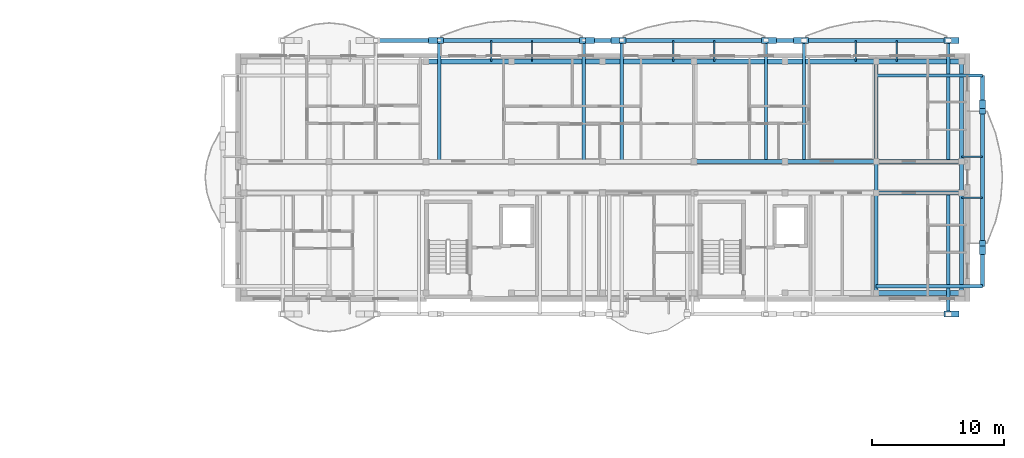
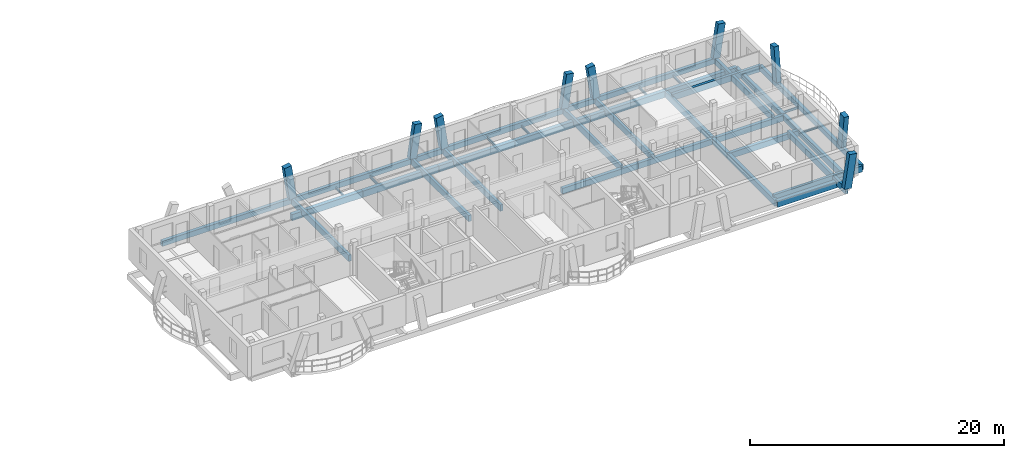
# One storey, part 8 of 52: 36 beams, 9 members.
"""IFC4 building model written with IfcOpenShell, lengths in metres."""

import ifcopenshell
import ifcopenshell.guid

model = None  # the IFC model being written
_history = None  # IfcOwnerHistory: only IFC2X3 demands one
_inside = {}  # id of a spatial element -> (the spatial element, [elements in it])
_under = {}  # id of a project, library or spatial element -> (it, [spatial elements below it])
_declared = {}  # id of a project -> (the project, [libraries it declares])
_typed = {}  # id of a type object -> (the type object, [elements of that type])
_made_of = {}  # id of a material, layer set ... -> (it, [elements and type objects made of it])


def new_model(schema):
    """Start an empty IFC model of exactly this schema.

    Asked for "IFC4X3", IfcOpenShell would pick the latest addendum, in which some entities
    have other attributes; the version numbers below select the first issue.
    IFC2X3 requires an IfcOwnerHistory on every rooted entity: one is made here for all.
    """
    global model, _history
    if schema == "IFC4X3":
        model = ifcopenshell.file(schema_version=(4, 3, 0, 0))
    else:
        model = ifcopenshell.file(schema=schema)
    _inside.clear()
    _under.clear()
    _declared.clear()
    _typed.clear()
    _made_of.clear()
    _history = None
    if model.schema == "IFC2X3":
        org = make("IfcOrganization", Name="unknown")
        user = make(
            "IfcPersonAndOrganization",
            ThePerson=make("IfcPerson", FamilyName="unknown"),
            TheOrganization=org,
        )
        app = make(
            "IfcApplication",
            ApplicationDeveloper=org,
            Version="unknown",
            ApplicationFullName="unknown",
            ApplicationIdentifier="unknown",
        )
        _history = make(
            "IfcOwnerHistory",
            OwningUser=user,
            OwningApplication=app,
            ChangeAction="ADDED",
            CreationDate=0,
        )
    return model


def make(cls, **values):
    """One entity of the class cls with the attributes given. An attribute that is None is left unset."""
    return model.create_entity(
        cls, **{name: value for name, value in values.items() if value is not None}
    )


def rooted(cls, **values):
    """An entity with a GlobalId (a new one), such as an element, a storey or a relation."""
    return make(cls, GlobalId=ifcopenshell.guid.new(), OwnerHistory=_history, **values)


def si_unit(unit_type, name, prefix=None):
    """IfcSIUnit, for example si_unit("LENGTHUNIT", "METRE", prefix="MILLI")."""
    return make("IfcSIUnit", UnitType=unit_type, Prefix=prefix, Name=name)


def assignment(units):
    """IfcUnitAssignment: the units of a project."""
    return None if units is None else make("IfcUnitAssignment", Units=units)


def point(xyz):
    """IfcCartesianPoint."""
    return None if xyz is None else make("IfcCartesianPoint", Coordinates=xyz)


def direction(xyz):
    """IfcDirection."""
    return None if xyz is None else make("IfcDirection", DirectionRatios=xyz)


def frame(location, z_axis=None, x_axis=None):
    """IfcAxis2Placement3D, a coordinate frame: its origin and axes. An axis left out is left unset."""
    return make(
        "IfcAxis2Placement3D",
        Location=point(location),
        Axis=direction(z_axis),
        RefDirection=direction(x_axis),
    )


def frame_2d(location, x_axis=None):
    """IfcAxis2Placement2D, a coordinate frame in the plane: its origin and x axis."""
    return make(
        "IfcAxis2Placement2D", Location=point(location), RefDirection=direction(x_axis)
    )


def origin():
    """The frame at (0, 0, 0) with its axes left unset."""
    return frame((0.0, 0.0, 0.0))


def origin_2d():
    """The frame at (0, 0) in the plane with its x axis left unset."""
    return frame_2d((0.0, 0.0))


def place(relative_to, where):
    """IfcLocalPlacement: puts the frame where relative to a parent placement (None: the world)."""
    return make(
        "IfcLocalPlacement", PlacementRelTo=relative_to, RelativePlacement=where
    )


def context(
    kind, dimensions, precision=None, world=None, true_north=None, identifier=None
):
    """IfcGeometricRepresentationContext, for example the 3D "Model" context."""
    return make(
        "IfcGeometricRepresentationContext",
        ContextIdentifier=identifier,
        ContextType=kind,
        CoordinateSpaceDimension=dimensions,
        Precision=precision,
        WorldCoordinateSystem=world,
        TrueNorth=true_north,
    )


def subcontext(parent, identifier, kind, view, scale=None):
    """IfcGeometricRepresentationSubContext, for example "Body" below "Model"."""
    return make(
        "IfcGeometricRepresentationSubContext",
        ContextIdentifier=identifier,
        ContextType=kind,
        ParentContext=parent,
        TargetScale=scale,
        TargetView=view,
    )


def project(units=None, contexts=None):
    """IfcProject with its units and contexts."""
    return rooted(
        "IfcProject",
        Name="project",
        RepresentationContexts=contexts,
        UnitsInContext=assignment(units),
    )


def spatial(cls, under=None, at=None, **own):
    """A site, building, storey or space (cls), placed at a placement, below another one or the project."""
    s = rooted(cls, ObjectPlacement=at, **own)
    if under is not None:
        _under.setdefault(under.id(), (under, []))[1].append(s)
    return s


def profile(cls, at=None, kind="AREA", **sizes):
    """A parametric profile (cls). Its sizes go by their IFC names, for example OverallWidth=200.0."""
    return make(cls, ProfileType=kind, Position=at, **sizes)


def rectangle(**sizes):
    """IfcRectangleProfileDef."""
    return profile("IfcRectangleProfileDef", **sizes)


def i_section(**sizes):
    """IfcIShapeProfileDef."""
    return profile("IfcIShapeProfileDef", **sizes)


def extrude(swept, where, along, depth):
    """IfcExtrudedAreaSolid: the profile swept, set in the frame where, extruded along a direction by depth."""
    return make(
        "IfcExtrudedAreaSolid",
        SweptArea=swept,
        Position=where,
        ExtrudedDirection=direction(along),
        Depth=depth,
    )


def shape(context_of_items, identifier, shape_type, items):
    """IfcShapeRepresentation: the items that make up one representation, for example the "Body"."""
    return make(
        "IfcShapeRepresentation",
        ContextOfItems=context_of_items,
        RepresentationIdentifier=identifier,
        RepresentationType=shape_type,
        Items=items,
    )


def material(Name=None, Category=None):
    """IfcMaterial."""
    return make("IfcMaterial", Name=Name, Category=Category)


def material_profile(
    of_material, cross_section, Name=None, Category=None, Priority=None
):
    """IfcMaterialProfile: a cross section and its material."""
    return make(
        "IfcMaterialProfile",
        Name=Name,
        Material=of_material,
        Profile=cross_section,
        Priority=Priority,
        Category=Category,
    )


def profile_set(profiles, Name=None, composite=None):
    """IfcMaterialProfileSet."""
    return make(
        "IfcMaterialProfileSet",
        Name=Name,
        MaterialProfiles=profiles,
        CompositeProfile=composite,
    )


def made_of(thing, what):
    """Note that an element or type object is made of a material, layer set ...; save() writes the relation."""
    if what is not None:
        _made_of.setdefault(what.id(), (what, []))[1].append(thing)
    return thing


def type_object(cls, material=None, **own):
    """A type object (cls), such as IfcWallType, which elements share."""
    return made_of(rooted(cls, **own), material)


def element(
    cls,
    number,
    at=None,
    inside=None,
    cuts=None,
    type_object=None,
    material=None,
    context=None,
    identifier="Body",
    shape_type=None,
    held_by="IfcProductDefinitionShape",
    body=None,
    shapes=None,
    **own,
):
    """One element of the class cls, such as IfcWall. Its Tag is "e" and its number.

    at: its placement. inside: the storey or other place that contains it. cuts: it is an
    opening in that element (IfcRelVoidsElement). A single representation is given by context,
    identifier, shape_type and body (its items); several are given by shapes. held_by: the class
    of the entity that holds the representations. save() writes the other relations.
    """
    e = rooted(cls, Tag="e%d" % number, ObjectPlacement=at, **own)
    if body is not None:
        shapes = [shape(context, identifier, shape_type, body)]
    if shapes is not None:
        e.Representation = make(held_by, Representations=shapes)
    if inside is not None:
        _inside.setdefault(inside.id(), (inside, []))[1].append(e)
    if cuts is not None:
        rooted(
            "IfcRelVoidsElement", RelatingBuildingElement=cuts, RelatedOpeningElement=e
        )
    if type_object is not None:
        _typed.setdefault(type_object.id(), (type_object, []))[1].append(e)
    return made_of(e, material)


def aggregate(whole, parts):
    """IfcRelAggregates: a whole, such as a stair, and the parts it consists of."""
    return rooted("IfcRelAggregates", RelatingObject=whole, RelatedObjects=parts)


def save(model, path):
    """Write the relations noted so far, then the file.

    IfcRelAggregates (storeys below a building ...), IfcRelContainedInSpatialStructure (elements
    in a storey), IfcRelDefinesByType, IfcRelAssociatesMaterial and IfcRelDeclares: one each for
    every whole, place, type object, material and project.
    """
    for whole, parts in _under.values():
        aggregate(whole, parts)
    for where, things in _inside.values():
        rooted(
            "IfcRelContainedInSpatialStructure",
            RelatedElements=things,
            RelatingStructure=where,
        )
    for kind, things in _typed.values():
        rooted("IfcRelDefinesByType", RelatedObjects=things, RelatingType=kind)
    for what, things in _made_of.values():
        rooted("IfcRelAssociatesMaterial", RelatedObjects=things, RelatingMaterial=what)
    for by, libraries in _declared.values():
        rooted("IfcRelDeclares", RelatingContext=by, RelatedDefinitions=libraries)
    model.write(path)


model = new_model("IFC4")

# Units and contexts
model_context = context("Model", 3, precision=1e-05, world=origin(), true_north=direction((0.0, 1.0)))
body_context = subcontext(model_context, "Body", "Model", "MODEL_VIEW")
ifc_project = project(units=[si_unit("LENGTHUNIT", "METRE"), si_unit("AREAUNIT", "SQUARE_METRE"), si_unit("VOLUMEUNIT", "CUBIC_METRE"), si_unit("PLANEANGLEUNIT", "RADIAN"), si_unit("MASSUNIT", "GRAM", prefix="KILO")], contexts=[model_context])

# Site, building, storey
site_placement = place(None, origin())
site = spatial("IfcSite", under=ifc_project, at=site_placement, CompositionType="ELEMENT")
building_placement = place(site_placement, origin())
building = spatial("IfcBuilding", under=site, at=building_placement, Name="Zavelmont Quarter", CompositionType="ELEMENT")
storey_placement = place(building_placement, frame((0.0, 0.0, 14.39990234375)))
storey = spatial("IfcBuildingStorey", under=building, at=storey_placement, Name="L04", CompositionType="ELEMENT", Elevation=14.39990234375)

# Beams
ifc_material_1 = material(Name="Concrete C35/45", Category="concrete")
ifc_material_profile_1 = material_profile(ifc_material_1, rectangle(XDim=0.35009765625, YDim=0.60009765625, at=origin_2d()), Name="RC350X600")
ifc_profile_set_1 = profile_set([ifc_material_profile_1], Name="Concrete C35/45")
beam_type_1 = type_object("IfcBeamType", Name="BM01", PredefinedType="SPANDREL", material=ifc_profile_set_1)
for number, where, z_axis, x_axis, name in (
    (1, (161.10009765625, 98.0400390625, -0.559814453125), (1.0, 0.0, 0.0), (0.0, 1.0, 0.0), "L04 beam BM01 24/P to 25/P"),
    (2, (127.0400390625, 115.56005859375, -0.559814453125), (1.0, 0.0, 0.0), (0.0, 1.0, 0.0), "L04 beam BM01 19/S to 20/S"),
):
    element("IfcBeam", number, at=place(storey_placement, frame(where, z_axis=z_axis, x_axis=x_axis)), inside=storey, type_object=beam_type_1, Name=name, PredefinedType="SPANDREL", context=body_context, shape_type="SweptSolid", body=[
        extrude(rectangle(XDim=0.35009765625, YDim=0.60009765625, at=origin_2d()), origin(), (0.0, 0.0, 1.0), 6.4599609375),
    ])
beam_1_placement = place(storey_placement, frame((133.5, 115.56005859375, -0.559814453125), z_axis=(1.0, 0.0, 0.0), x_axis=(0.0, 1.0, 0.0)))
element("IfcBeam", 3, at=beam_1_placement, inside=storey, type_object=beam_type_1, Name="L04 beam BM01 20/S to 21/S", PredefinedType="SPANDREL", context=body_context, shape_type="SweptSolid", body=[
    extrude(rectangle(XDim=0.35009765625, YDim=0.60009765625, at=origin_2d()), origin(), (0.0, 0.0, 1.0), 6.89990234375),
])
beam_2_placement = place(storey_placement, frame((140.39990234375, 115.56005859375, -0.559814453125), z_axis=(1.0, 0.0, 0.0), x_axis=(0.0, 1.0, 0.0)))
element("IfcBeam", 4, at=beam_2_placement, inside=storey, type_object=beam_type_1, Name="L04 beam BM01 21/S to 22/S", PredefinedType="SPANDREL", context=body_context, shape_type="SweptSolid", body=[
    extrude(rectangle(XDim=0.35009765625, YDim=0.60009765625, at=origin_2d()), origin(), (0.0, 0.0, 1.0), 6.900146484375),
])
beam_3_placement = place(storey_placement, frame((147.300048828125, 115.56005859375, -0.559814453125), z_axis=(1.0, 0.0, 0.0), x_axis=(0.0, 1.0, 0.0)))
element("IfcBeam", 5, at=beam_3_placement, inside=storey, type_object=beam_type_1, Name="L04 beam BM01 22/S to 23/S", PredefinedType="SPANDREL", context=body_context, shape_type="SweptSolid", body=[
    extrude(rectangle(XDim=0.35009765625, YDim=0.60009765625, at=origin_2d()), origin(), (0.0, 0.0, 1.0), 6.89990234375),
])
beam_4_placement = place(storey_placement, frame((154.199951171875, 115.56005859375, -0.559814453125), z_axis=(1.0, 0.0, 0.0), x_axis=(0.0, 1.0, 0.0)))
element("IfcBeam", 6, at=beam_4_placement, inside=storey, type_object=beam_type_1, Name="L04 beam BM01 23/S to 24/S", PredefinedType="SPANDREL", context=body_context, shape_type="SweptSolid", body=[
    extrude(rectangle(XDim=0.35009765625, YDim=0.60009765625, at=origin_2d()), origin(), (0.0, 0.0, 1.0), 6.900146484375),
])
beam_5_placement = place(storey_placement, frame((161.10009765625, 115.56005859375, -0.559814453125), z_axis=(1.0, 0.0, 0.0), x_axis=(0.0, 1.0, 0.0)))
element("IfcBeam", 7, at=beam_5_placement, inside=storey, type_object=beam_type_1, Name="L04 beam BM01 24/S to 25/S", PredefinedType="SPANDREL", context=body_context, shape_type="SweptSolid", body=[
    extrude(rectangle(XDim=0.35009765625, YDim=0.60009765625, at=origin_2d()), origin(), (0.0, 0.0, 1.0), 6.4599609375),
])
ifc_material_profile_2 = material_profile(ifc_material_1, rectangle(XDim=0.300048828125, YDim=0.550048828125, at=origin_2d()), Name="RC300X550")
ifc_profile_set_2 = profile_set([ifc_material_profile_2], Name="Concrete C35/45")
beam_type_2 = type_object("IfcBeamType", Name="BM02", PredefinedType="SPANDREL", material=ifc_profile_set_2)
beam_6_placement = place(storey_placement, frame((161.10009765625, 105.60009765625, -0.534912109375), z_axis=(1.0, 0.0, 0.0), x_axis=(0.0, 1.0, 0.0)))
element("IfcBeam", 8, at=beam_6_placement, inside=storey, type_object=beam_type_2, Name="L04 beam BM02 24/Q to 25/Q", PredefinedType="SPANDREL", context=body_context, shape_type="SweptSolid", body=[
    extrude(rectangle(XDim=0.300048828125, YDim=0.550048828125, at=origin_2d()), origin(), (0.0, 0.0, 1.0), 6.4599609375),
])
beam_7_placement = place(storey_placement, frame((147.300048828125, 108.0, -0.534912109375), z_axis=(1.0, 0.0, 0.0), x_axis=(0.0, 1.0, 0.0)))
element("IfcBeam", 9, at=beam_7_placement, inside=storey, type_object=beam_type_2, Name="L04 beam BM02 22/R to 23/R", PredefinedType="SPANDREL", context=body_context, shape_type="SweptSolid", body=[
    extrude(rectangle(XDim=0.300048828125, YDim=0.550048828125, at=origin_2d()), origin(), (0.0, 0.0, 1.0), 6.89990234375),
])
beam_8_placement = place(storey_placement, frame((154.199951171875, 108.0, -0.534912109375), z_axis=(1.0, 0.0, 0.0), x_axis=(0.0, 1.0, 0.0)))
element("IfcBeam", 10, at=beam_8_placement, inside=storey, type_object=beam_type_2, Name="L04 beam BM02 23/R to 24/R", PredefinedType="SPANDREL", context=body_context, shape_type="SweptSolid", body=[
    extrude(rectangle(XDim=0.300048828125, YDim=0.550048828125, at=origin_2d()), origin(), (0.0, 0.0, 1.0), 6.900146484375),
])
beam_9_placement = place(storey_placement, frame((161.10009765625, 108.0, -0.534912109375), z_axis=(1.0, 0.0, 0.0), x_axis=(0.0, 1.0, 0.0)))
element("IfcBeam", 11, at=beam_9_placement, inside=storey, type_object=beam_type_2, Name="L04 beam BM02 24/R to 25/R", PredefinedType="SPANDREL", context=body_context, shape_type="SweptSolid", body=[
    extrude(rectangle(XDim=0.300048828125, YDim=0.550048828125, at=origin_2d()), origin(), (0.0, 0.0, 1.0), 6.4599609375),
])
beam_10_placement = place(storey_placement, frame((161.10009765625, 98.0400390625, -0.534912109375), z_axis=(0.0, 1.0, 0.0), x_axis=(-1.0, 0.0, 0.0)))
element("IfcBeam", 12, at=beam_10_placement, inside=storey, type_object=beam_type_2, Name="L04 beam BM02 24/P to 24/Q", PredefinedType="SPANDREL", context=body_context, shape_type="SweptSolid", body=[
    extrude(rectangle(XDim=0.300048828125, YDim=0.550048828125, at=origin_2d()), origin(), (0.0, 0.0, 1.0), 7.56005859375),
])
beam_11_placement = place(storey_placement, frame((161.10009765625, 105.60009765625, -0.534912109375), z_axis=(0.0, 1.0, 0.0), x_axis=(-1.0, 0.0, 0.0)))
element("IfcBeam", 13, at=beam_11_placement, inside=storey, type_object=beam_type_2, Name="L04 beam BM02 24/Q to 24/R", PredefinedType="SPANDREL", context=body_context, shape_type="SweptSolid", body=[
    extrude(rectangle(XDim=0.300048828125, YDim=0.550048828125, at=origin_2d()), origin(), (0.0, 0.0, 1.0), 2.39990234375),
])
for number, where, z_axis, x_axis, name in (
    (14, (161.10009765625, 108.0, -0.534912109375), (0.0, 1.0, 0.0), (-1.0, 0.0, 0.0), "L04 beam BM02 24/R to 24/S"),
    (15, (167.56005859375, 98.0400390625, -0.534912109375), (0.0, 1.0, 0.0), (-1.0, 0.0, 0.0), "L04 beam BM02 25/P to 25/Q"),
):
    element("IfcBeam", number, at=place(storey_placement, frame(where, z_axis=z_axis, x_axis=x_axis)), inside=storey, type_object=beam_type_2, Name=name, PredefinedType="SPANDREL", context=body_context, shape_type="SweptSolid", body=[
        extrude(rectangle(XDim=0.300048828125, YDim=0.550048828125, at=origin_2d()), origin(), (0.0, 0.0, 1.0), 7.56005859375),
    ])
beam_12_placement = place(storey_placement, frame((167.56005859375, 105.60009765625, -0.534912109375), z_axis=(0.0, 1.0, 0.0), x_axis=(-1.0, 0.0, 0.0)))
element("IfcBeam", 16, at=beam_12_placement, inside=storey, type_object=beam_type_2, Name="L04 beam BM02 25/Q to 25/R", PredefinedType="SPANDREL", context=body_context, shape_type="SweptSolid", body=[
    extrude(rectangle(XDim=0.300048828125, YDim=0.550048828125, at=origin_2d()), origin(), (0.0, 0.0, 1.0), 2.39990234375),
])
beam_13_placement = place(storey_placement, frame((167.56005859375, 108.0, -0.534912109375), z_axis=(0.0, 1.0, 0.0), x_axis=(-1.0, 0.0, 0.0)))
element("IfcBeam", 17, at=beam_13_placement, inside=storey, type_object=beam_type_2, Name="L04 beam BM02 25/R to 25/S", PredefinedType="SPANDREL", context=body_context, shape_type="SweptSolid", body=[
    extrude(rectangle(XDim=0.300048828125, YDim=0.550048828125, at=origin_2d()), origin(), (0.0, 0.0, 1.0), 7.56005859375),
])
ifc_material_profile_3 = material_profile(ifc_material_1, rectangle(XDim=0.300048828125, YDim=0.5, at=origin_2d()), Name="RC300X500")
ifc_profile_set_3 = profile_set([ifc_material_profile_3], Name="Concrete C35/45")
beam_type_3 = type_object("IfcBeamType", Name="BM03", PredefinedType="BEAM", material=ifc_profile_set_3)
beam_14_placement = place(storey_placement, frame((116.178955078125, 117.14990234375, -0.25), z_axis=(1.0, 0.0, 0.0), x_axis=(0.0, 1.0, 0.0)))
element("IfcBeam", 18, at=beam_14_placement, inside=storey, type_object=beam_type_3, Name="L04 beam BM03 17/S to 25/S", PredefinedType="BEAM", context=body_context, shape_type="SweptSolid", body=[
    extrude(rectangle(XDim=0.300048828125, YDim=0.5, at=origin_2d()), origin(), (0.0, 0.0, 1.0), 50.382080078125),
])
beam_15_placement = place(storey_placement, frame((169.14990234375, 98.550048828125, -0.25), z_axis=(0.0, 1.0, 0.0), x_axis=(-1.0, 0.0, 0.0)))
element("IfcBeam", 19, at=beam_15_placement, inside=storey, type_object=beam_type_3, Name="L04 beam BM03 25/P to 25/S", PredefinedType="BEAM", context=body_context, shape_type="SweptSolid", body=[
    extrude(rectangle(XDim=0.300048828125, YDim=0.5, at=origin_2d()), origin(), (0.0, 0.0, 1.0), 15.949951171875),
])
ifc_material_2 = material(Name="Steel S355", Category="steel")
ifc_material_profile_4 = material_profile(ifc_material_2, i_section(OverallWidth=0.110107421875, OverallDepth=0.219970703125, WebThickness=0.005859375, FlangeThickness=0.00927734375, at=origin_2d()), Name="IPE 220")
ifc_profile_set_4 = profile_set([ifc_material_profile_4], Name="Steel S355")
beam_type_4 = type_object("IfcBeamType", Name="BM15", PredefinedType="JOIST", material=ifc_profile_set_4)
for number, where, z_axis, x_axis, name in (
    (20, (131.949951171875, 115.56005859375, -0.371826171875), (0.0, 1.0, 0.0), (-1.0, 0.0, 0.0), "L04 beam BM15 20/S to 20/S"),
    (21, (135.050048828125, 115.56005859375, -0.371826171875), (0.0, 1.0, 0.0), (-1.0, 0.0, 0.0), "L04 beam BM15 20/S to 20/S"),
    (22, (145.75, 115.56005859375, -0.371826171875), (0.0, 1.0, 0.0), (-1.0, 0.0, 0.0), "L04 beam BM15 22/S to 22/S"),
    (23, (148.85009765625, 115.56005859375, -0.371826171875), (0.0, 1.0, 0.0), (-1.0, 0.0, 0.0), "L04 beam BM15 22/S to 22/S"),
    (24, (159.550048828125, 115.56005859375, -0.371826171875), (0.0, 1.0, 0.0), (-1.0, 0.0, 0.0), "L04 beam BM15 24/S to 24/S"),
    (25, (162.64990234375, 115.56005859375, -0.371826171875), (0.0, 1.0, 0.0), (-1.0, 0.0, 0.0), "L04 beam BM15 24/S to 24/S"),
    (26, (167.56005859375, 105.25, -0.371826171875), (1.0, 0.0, 0.0), (0.0, 1.0, 0.0), "L04 beam BM15 25/Q to 25/Q"),
    (27, (167.56005859375, 108.35009765625, -0.371826171875), (1.0, 0.0, 0.0), (0.0, 1.0, 0.0), "L04 beam BM15 25/R to 25/R"),
):
    element("IfcBeam", number, at=place(storey_placement, frame(where, z_axis=z_axis, x_axis=x_axis)), inside=storey, type_object=beam_type_4, Name=name, PredefinedType="JOIST", context=body_context, shape_type="SweptSolid", body=[
        extrude(i_section(OverallWidth=0.110107421875, OverallDepth=0.219970703125, WebThickness=0.005859375, FlangeThickness=0.00927734375, at=origin_2d()), origin(), (0.0, 0.0, 1.0), 1.58984375),
    ])
ifc_material_3 = material(Name="Concrete C40/50", Category="concrete")
ifc_material_profile_5 = material_profile(ifc_material_3, rectangle(XDim=0.25, YDim=0.60009765625, at=origin_2d()), Name="RC250X600")
ifc_profile_set_5 = profile_set([ifc_material_profile_5], Name="Concrete C40/50")
beam_type_5 = type_object("IfcBeamType", Name="BM18", PredefinedType="BEAM", material=ifc_profile_set_5)
for number, where, z_axis, x_axis, name in (
    (28, (128.0390625, 108.0, -0.2998046875), (0.0, 1.0, 0.0), (-1.0, 0.0, 0.0), "L04 beam BM18 19/R to 19/S"),
    (29, (138.9609375, 108.0, -0.2998046875), (0.0, 1.0, 0.0), (-1.0, 0.0, 0.0), "L04 beam BM18 21/R to 21/S"),
    (30, (141.839111328125, 108.0, -0.2998046875), (0.0, 1.0, 0.0), (-1.0, 0.0, 0.0), "L04 beam BM18 21/R to 21/S"),
    (31, (152.760986328125, 108.0, -0.2998046875), (0.0, 1.0, 0.0), (-1.0, 0.0, 0.0), "L04 beam BM18 23/R to 23/S"),
    (32, (155.638916015625, 108.0, -0.2998046875), (0.0, 1.0, 0.0), (-1.0, 0.0, 0.0), "L04 beam BM18 23/R to 23/S"),
    (33, (166.56103515625, 108.0, -0.2998046875), (0.0, 1.0, 0.0), (-1.0, 0.0, 0.0), "L04 beam BM18 25/R to 25/S"),
):
    element("IfcBeam", number, at=place(storey_placement, frame(where, z_axis=z_axis, x_axis=x_axis)), inside=storey, type_object=beam_type_5, Name=name, PredefinedType="BEAM", context=body_context, shape_type="SweptSolid", body=[
        extrude(rectangle(XDim=0.25, YDim=0.60009765625, at=origin_2d()), origin(), (0.0, 0.0, 1.0), 9.14990234375),
    ])
beam_16_placement = place(storey_placement, frame((166.56103515625, 105.60009765625, -0.2998046875), z_axis=(0.0, -1.0, 0.0), x_axis=(1.0, 0.0, 0.0)))
element("IfcBeam", 34, at=beam_16_placement, inside=storey, type_object=beam_type_5, Name="L04 beam BM18 25/Q to 25/P", PredefinedType="BEAM", context=body_context, shape_type="SweptSolid", body=[
    extrude(rectangle(XDim=0.25, YDim=0.60009765625, at=origin_2d()), origin(), (0.0, 0.0, 1.0), 9.150146484375),
])
for number, where, z_axis, x_axis, name in (
    (35, (161.10009765625, 98.550048828125, -0.2998046875), (1.0, 0.0, 0.0), (0.0, 1.0, 0.0), "L04 beam BM18 24/P to 25/P"),
    (36, (161.10009765625, 114.5, -0.2998046875), (1.0, 0.0, 0.0), (0.0, 1.0, 0.0), "L04 beam BM18 24/S to 25/S"),
):
    element("IfcBeam", number, at=place(storey_placement, frame(where, z_axis=z_axis, x_axis=x_axis)), inside=storey, type_object=beam_type_5, Name=name, PredefinedType="BEAM", context=body_context, shape_type="SweptSolid", body=[
        extrude(rectangle(XDim=0.25, YDim=0.60009765625, at=origin_2d()), origin(), (0.0, 0.0, 1.0), 8.0498046875),
    ])

# Members
ifc_material_4 = material(Name="White architectural precast concrete C40/50", Category="concrete")
ifc_material_profile_6 = material_profile(ifc_material_4, rectangle(XDim=0.43994140625, YDim=0.659912109375, at=origin_2d()), Name="PCR320X480")
ifc_profile_set_6 = profile_set([ifc_material_profile_6], Name="White architectural precast concrete C40/50")
member_type = type_object("IfcMemberType", Name="VR01M", PredefinedType="CHORD", material=ifc_profile_set_6)
for number, where, z_axis, x_axis, name in (
    (37, (128.0390625, 117.14990234375, 0.0), (-0.148399480207, 0.0, 0.988927496976), (0.0, -1.0, 0.0), "L04 member VR01M 19/S to 19/S"),
    (38, (138.9609375, 117.14990234375, 0.0), (0.148399480207, 0.0, 0.988927496976), (0.0, 1.0, 0.0), "L04 member VR01M 21/S to 21/S"),
    (39, (141.839111328125, 117.14990234375, 0.0), (-0.148399480207, 0.0, 0.988927496976), (0.0, -1.0, 0.0), "L04 member VR01M 21/S to 21/S"),
    (40, (152.760986328125, 117.14990234375, 0.0), (0.148399480207, 0.0, 0.988927496976), (0.0, 1.0, 0.0), "L04 member VR01M 23/S to 23/S"),
    (41, (155.638916015625, 117.14990234375, 0.0), (-0.148399480207, 0.0, 0.988927496976), (0.0, -1.0, 0.0), "L04 member VR01M 23/S to 23/S"),
    (42, (166.56103515625, 117.14990234375, 0.0), (0.148399480207, 0.0, 0.988927496976), (0.0, 1.0, 0.0), "L04 member VR01M 25/S to 25/S"),
    (43, (166.56103515625, 96.449951171875, 0.0), (0.148399480207, 0.0, 0.988927496976), (0.0, 1.0, 0.0), "L04 member VR01M 25/P to 25/P"),
):
    element("IfcMember", number, at=place(storey_placement, frame(where, z_axis=z_axis, x_axis=x_axis)), inside=storey, type_object=member_type, Name=name, PredefinedType="CHORD", context=body_context, shape_type="SweptSolid", body=[
        extrude(rectangle(XDim=0.43994140625, YDim=0.659912109375, at=origin_2d()), origin(), (0.0, 0.0, 1.0), 3.236083984375),
    ])
for number, where, z_axis, x_axis, name in (
    (44, (169.14990234375, 101.68896484375, 0.0), (0.0, -0.127796077627, 0.991800465085), (1.0, 0.0, 0.0), "L04 member VR01M 25/Q to 25/P"),
    (45, (169.14990234375, 111.910888671875, 0.0), (0.0, 0.127796077627, 0.991800465085), (-1.0, 0.0, 0.0), "L04 member VR01M 25/R to 25/S"),
):
    element("IfcMember", number, at=place(storey_placement, frame(where, z_axis=z_axis, x_axis=x_axis)), inside=storey, type_object=member_type, Name=name, PredefinedType="CHORD", context=body_context, shape_type="SweptSolid", body=[
        extrude(rectangle(XDim=0.43994140625, YDim=0.659912109375, at=origin_2d()), origin(), (0.0, 0.0, 1.0), 3.2265625),
    ])

save(model, "model.ifc")
